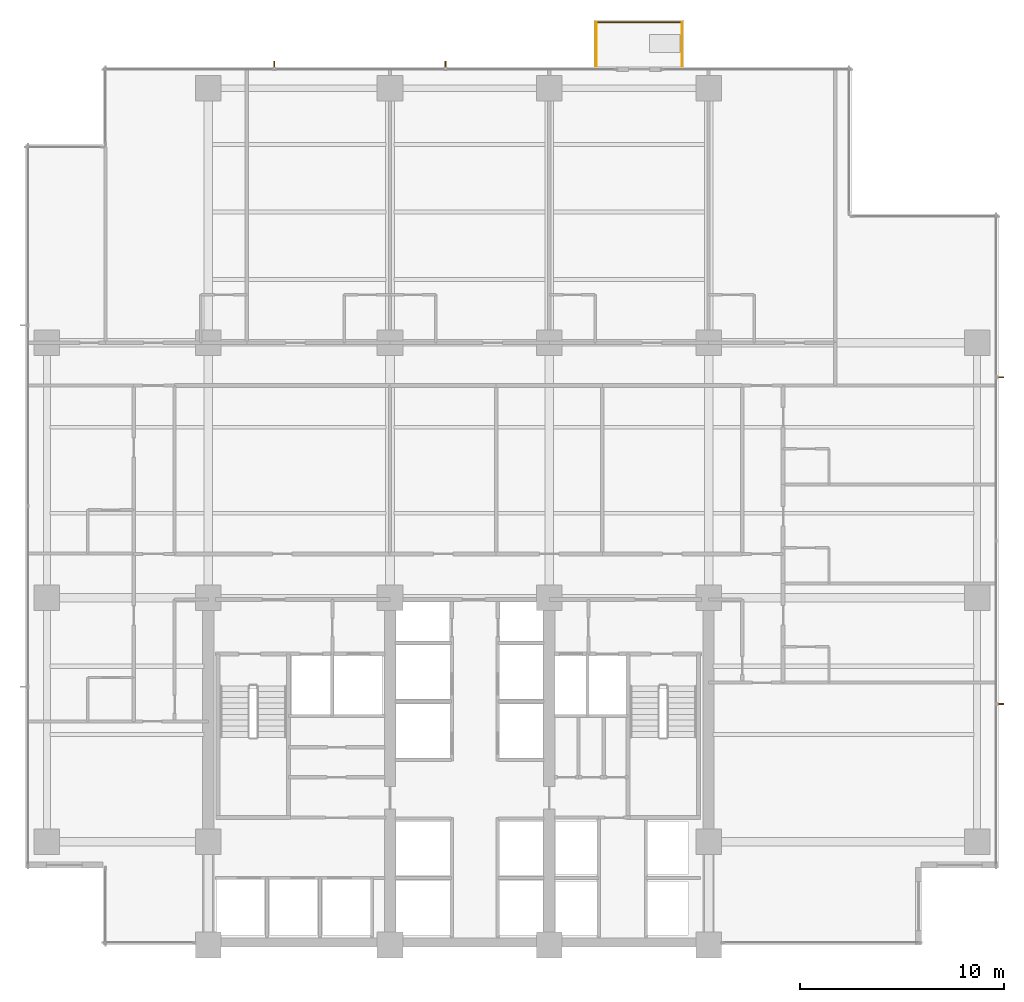
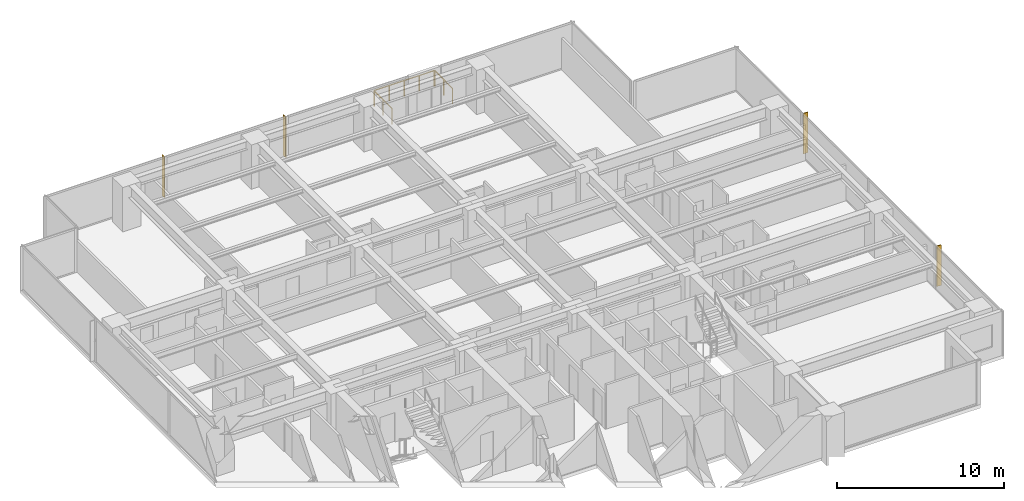
# One storey, part 17 of 17: 4 shading devices, 3 railings.
"""IFC4 building model written with IfcOpenShell, lengths in metres."""

from ifc_helpers import new_model, si_unit, direction, frame, origin, origin_2d, place, context, subcontext, project, spatial, polyline, circle, outline, extrude, material, layer, layer_set, type_object, element, save


model = new_model("IFC4")

# Units and contexts
model_context = context("Model", 3, precision=1e-05, world=origin(), true_north=direction((0.0, 1.0)))
body_context = subcontext(model_context, "Body", "Model", "MODEL_VIEW")
ifc_project = project(units=[si_unit("LENGTHUNIT", "METRE"), si_unit("AREAUNIT", "SQUARE_METRE"), si_unit("VOLUMEUNIT", "CUBIC_METRE"), si_unit("PLANEANGLEUNIT", "RADIAN"), si_unit("MASSUNIT", "GRAM", prefix="KILO")], contexts=[model_context])

# Site, building, storey
site_placement = place(None, origin())
site = spatial("IfcSite", under=ifc_project, at=site_placement, CompositionType="ELEMENT")
building_placement = place(site_placement, origin())
building = spatial("IfcBuilding", under=site, at=building_placement, Name="Qalmaran Belvedere Hotel", CompositionType="ELEMENT")
storey_placement = place(building_placement, frame((0.0, 0.0, 88.199951171875)))
storey = spatial("IfcBuildingStorey", under=building, at=storey_placement, Name="L21", CompositionType="ELEMENT", Elevation=88.199951171875)

# Shading devices
ifc_material = material(Name="Anodised Bronze Aluminium", Category="aluminium")
ifc_layer = layer(ifc_material, 0.06494140625, Name="Anodised Bronze Aluminium")
ifc_layer_set = layer_set([ifc_layer], Name="Anodised Bronze Aluminium")
shading_device_type = type_object("IfcShadingDeviceType", Name="FIN-BRNZ-300", PredefinedType="USERDEFINED", material=ifc_layer_set)
shading_device_1_placement = place(storey_placement, frame((0.0, 0.0, 0.16015625)))
element("IfcShadingDevice", 1, at=shading_device_1_placement, inside=storey, type_object=shading_device_type, Name="L21 Bronze Fin 1", ObjectType="FIN", PredefinedType="USERDEFINED", context=body_context, shape_type="SweptSolid", body=[
    extrude(outline(polyline([(58.969970703125, 15.267578125), (59.27001953125, 15.267578125), (59.27001953125, 15.33251953125), (58.969970703125, 15.33251953125), (58.969970703125, 15.267578125)])), origin(), (0.0, 0.0, 1.0), 2.9599609375),
])
shading_device_2_placement = place(storey_placement, frame((0.0, 0.0, 0.16015625)))
element("IfcShadingDevice", 2, at=shading_device_2_placement, inside=storey, type_object=shading_device_type, Name="L21 Bronze Fin 3", ObjectType="FIN", PredefinedType="USERDEFINED", context=body_context, shape_type="SweptSolid", body=[
    extrude(outline(polyline([(58.969970703125, 31.267578125), (59.27001953125, 31.267578125), (59.27001953125, 31.33251953125), (58.969970703125, 31.33251953125), (58.969970703125, 31.267578125)])), origin(), (0.0, 0.0, 1.0), 2.9599609375),
])
shading_device_3_placement = place(storey_placement, frame((0.0, 0.0, 0.16015625)))
element("IfcShadingDevice", 3, at=shading_device_3_placement, inside=storey, type_object=shading_device_type, Name="L21 Bronze Fin 1", ObjectType="FIN", PredefinedType="USERDEFINED", context=body_context, shape_type="SweptSolid", body=[
    extrude(outline(polyline([(31.94921875, 46.469970703125), (31.94921875, 46.77001953125), (31.88427734375, 46.77001953125), (31.88427734375, 46.469970703125), (31.94921875, 46.469970703125)])), origin(), (0.0, 0.0, 1.0), 2.9599609375),
])
shading_device_4_placement = place(storey_placement, frame((0.0, 0.0, 0.16015625)))
element("IfcShadingDevice", 4, at=shading_device_4_placement, inside=storey, type_object=shading_device_type, Name="L21 Bronze Fin 2", ObjectType="FIN", PredefinedType="USERDEFINED", context=body_context, shape_type="SweptSolid", body=[
    extrude(outline(polyline([(23.56591796875, 46.469970703125), (23.56591796875, 46.77001953125), (23.500732421875, 46.77001953125), (23.500732421875, 46.469970703125), (23.56591796875, 46.469970703125)])), origin(), (0.0, 0.0, 1.0), 2.9599609375),
])

# Railings
railing_type = type_object("IfcRailingType", Name="GRD-BAL-1150", PredefinedType="BALUSTRADE", material=ifc_material)
railing_1_placement = place(storey_placement, frame((39.300048828125, 46.534912109375, 0.0)))
element("IfcRailing", 5, at=railing_1_placement, inside=storey, type_object=railing_type, Name="L21 Guardrail BAL-L21-N-1", PredefinedType="BALUSTRADE", context=body_context, shape_type="SweptSolid", body=[
    extrude(circle(Radius=0.02392578125, at=origin_2d()), frame((0.0, 0.0, 1.1259765625), z_axis=(0.0, 1.0, 0.0), x_axis=(-1.0, 0.0, 0.0)), (0.0, 0.0, 1.0), 2.130126953125),
    extrude(circle(Radius=0.02099609375, at=origin_2d()), origin(), (0.0, 0.0, 1.0), 1.101806640625),
    extrude(circle(Radius=0.02099609375, at=origin_2d()), frame((0.0, 1.06494140625, 0.0)), (0.0, 0.0, 1.0), 1.101806640625),
    extrude(circle(Radius=0.02099609375, at=origin_2d()), frame((0.0, 2.130126953125, 0.0)), (0.0, 0.0, 1.0), 1.101806640625),
])
railing_2_placement = place(storey_placement, frame((39.3349609375, 48.699951171875, 0.0)))
element("IfcRailing", 6, at=railing_2_placement, inside=storey, type_object=railing_type, Name="L21 Guardrail BAL-L21-N-2", PredefinedType="BALUSTRADE", context=body_context, shape_type="SweptSolid", body=[
    extrude(circle(Radius=0.02392578125, at=origin_2d()), frame((0.0, 0.0, 1.1259765625), z_axis=(1.0, 0.0, 0.0), x_axis=(0.0, 1.0, 0.0)), (0.0, 0.0, 1.0), 4.130126953125),
    extrude(circle(Radius=0.02099609375, at=origin_2d()), origin(), (0.0, 0.0, 1.0), 1.101806640625),
    extrude(circle(Radius=0.02099609375, at=origin_2d()), frame((1.032470703125, 0.0, 0.0)), (0.0, 0.0, 1.0), 1.101806640625),
    extrude(circle(Radius=0.02099609375, at=origin_2d()), frame((2.06494140625, 0.0, 0.0)), (0.0, 0.0, 1.0), 1.101806640625),
    extrude(circle(Radius=0.02099609375, at=origin_2d()), frame((3.09765625, 0.0, 0.0)), (0.0, 0.0, 1.0), 1.101806640625),
    extrude(circle(Radius=0.02099609375, at=origin_2d()), frame((4.130126953125, 0.0, 0.0)), (0.0, 0.0, 1.0), 1.101806640625),
])
railing_3_placement = place(storey_placement, frame((43.5, 48.6650390625, 0.0)))
element("IfcRailing", 7, at=railing_3_placement, inside=storey, type_object=railing_type, Name="L21 Guardrail BAL-L21-N-3", PredefinedType="BALUSTRADE", context=body_context, shape_type="SweptSolid", body=[
    extrude(circle(Radius=0.02392578125, at=origin_2d()), frame((0.0, 0.0, 1.1259765625), z_axis=(0.0, -1.0, 0.0), x_axis=(1.0, 0.0, 0.0)), (0.0, 0.0, 1.0), 2.130126953125),
    extrude(circle(Radius=0.02099609375, at=origin_2d()), origin(), (0.0, 0.0, 1.0), 1.101806640625),
    extrude(circle(Radius=0.02099609375, at=origin_2d()), frame((0.0, -1.06494140625, 0.0)), (0.0, 0.0, 1.0), 1.101806640625),
    extrude(circle(Radius=0.02099609375, at=origin_2d()), frame((0.0, -2.130126953125, 0.0)), (0.0, 0.0, 1.0), 1.101806640625),
])

save(model, "model.ifc")
